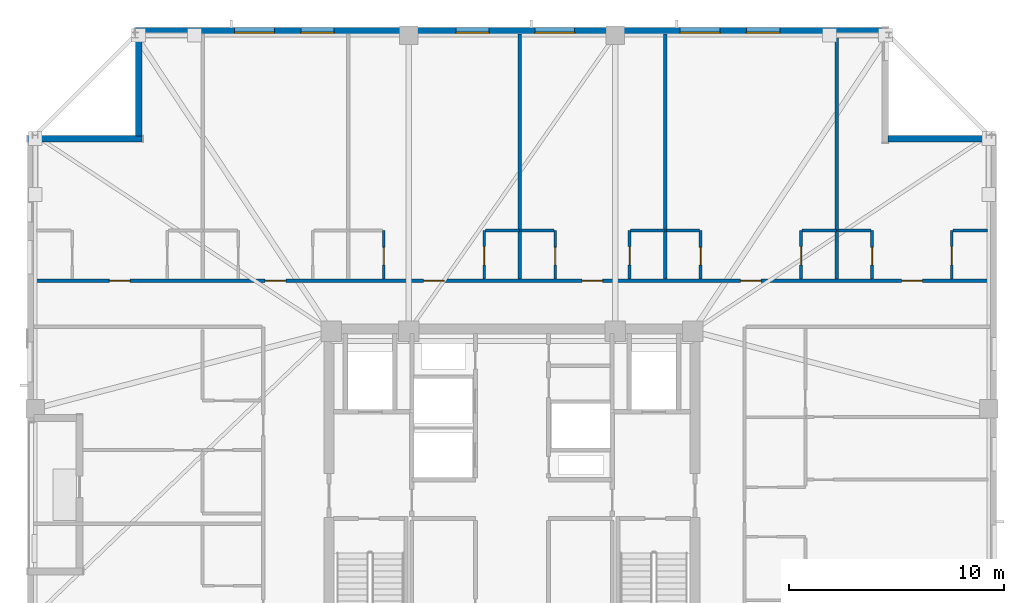
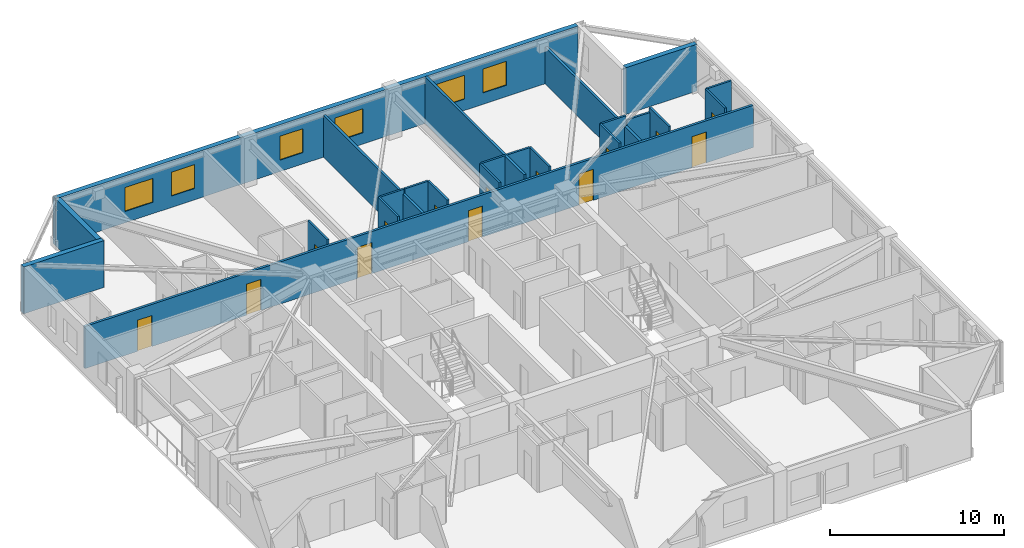
# One storey, part 11 of 17: 23 walls, 14 doors, 6 windows, 20 openings.
"""IFC4 building model written with IfcOpenShell, lengths in metres."""

import ifcopenshell
import ifcopenshell.guid

model = None  # the IFC model being written
_history = None  # IfcOwnerHistory: only IFC2X3 demands one
_inside = {}  # id of a spatial element -> (the spatial element, [elements in it])
_under = {}  # id of a project, library or spatial element -> (it, [spatial elements below it])
_declared = {}  # id of a project -> (the project, [libraries it declares])
_typed = {}  # id of a type object -> (the type object, [elements of that type])
_made_of = {}  # id of a material, layer set ... -> (it, [elements and type objects made of it])


def new_model(schema):
    """Start an empty IFC model of exactly this schema.

    Asked for "IFC4X3", IfcOpenShell would pick the latest addendum, in which some entities
    have other attributes; the version numbers below select the first issue.
    IFC2X3 requires an IfcOwnerHistory on every rooted entity: one is made here for all.
    """
    global model, _history
    if schema == "IFC4X3":
        model = ifcopenshell.file(schema_version=(4, 3, 0, 0))
    else:
        model = ifcopenshell.file(schema=schema)
    _inside.clear()
    _under.clear()
    _declared.clear()
    _typed.clear()
    _made_of.clear()
    _history = None
    if model.schema == "IFC2X3":
        org = make("IfcOrganization", Name="unknown")
        user = make(
            "IfcPersonAndOrganization",
            ThePerson=make("IfcPerson", FamilyName="unknown"),
            TheOrganization=org,
        )
        app = make(
            "IfcApplication",
            ApplicationDeveloper=org,
            Version="unknown",
            ApplicationFullName="unknown",
            ApplicationIdentifier="unknown",
        )
        _history = make(
            "IfcOwnerHistory",
            OwningUser=user,
            OwningApplication=app,
            ChangeAction="ADDED",
            CreationDate=0,
        )
    return model


def make(cls, **values):
    """One entity of the class cls with the attributes given. An attribute that is None is left unset."""
    return model.create_entity(
        cls, **{name: value for name, value in values.items() if value is not None}
    )


def rooted(cls, **values):
    """An entity with a GlobalId (a new one), such as an element, a storey or a relation."""
    return make(cls, GlobalId=ifcopenshell.guid.new(), OwnerHistory=_history, **values)


def si_unit(unit_type, name, prefix=None):
    """IfcSIUnit, for example si_unit("LENGTHUNIT", "METRE", prefix="MILLI")."""
    return make("IfcSIUnit", UnitType=unit_type, Prefix=prefix, Name=name)


def assignment(units):
    """IfcUnitAssignment: the units of a project."""
    return None if units is None else make("IfcUnitAssignment", Units=units)


def point(xyz):
    """IfcCartesianPoint."""
    return None if xyz is None else make("IfcCartesianPoint", Coordinates=xyz)


def direction(xyz):
    """IfcDirection."""
    return None if xyz is None else make("IfcDirection", DirectionRatios=xyz)


def frame(location, z_axis=None, x_axis=None):
    """IfcAxis2Placement3D, a coordinate frame: its origin and axes. An axis left out is left unset."""
    return make(
        "IfcAxis2Placement3D",
        Location=point(location),
        Axis=direction(z_axis),
        RefDirection=direction(x_axis),
    )


def frame_2d(location, x_axis=None):
    """IfcAxis2Placement2D, a coordinate frame in the plane: its origin and x axis."""
    return make(
        "IfcAxis2Placement2D", Location=point(location), RefDirection=direction(x_axis)
    )


def origin():
    """The frame at (0, 0, 0) with its axes left unset."""
    return frame((0.0, 0.0, 0.0))


def place(relative_to, where):
    """IfcLocalPlacement: puts the frame where relative to a parent placement (None: the world)."""
    return make(
        "IfcLocalPlacement", PlacementRelTo=relative_to, RelativePlacement=where
    )


def context(
    kind, dimensions, precision=None, world=None, true_north=None, identifier=None
):
    """IfcGeometricRepresentationContext, for example the 3D "Model" context."""
    return make(
        "IfcGeometricRepresentationContext",
        ContextIdentifier=identifier,
        ContextType=kind,
        CoordinateSpaceDimension=dimensions,
        Precision=precision,
        WorldCoordinateSystem=world,
        TrueNorth=true_north,
    )


def subcontext(parent, identifier, kind, view, scale=None):
    """IfcGeometricRepresentationSubContext, for example "Body" below "Model"."""
    return make(
        "IfcGeometricRepresentationSubContext",
        ContextIdentifier=identifier,
        ContextType=kind,
        ParentContext=parent,
        TargetScale=scale,
        TargetView=view,
    )


def project(units=None, contexts=None):
    """IfcProject with its units and contexts."""
    return rooted(
        "IfcProject",
        Name="project",
        RepresentationContexts=contexts,
        UnitsInContext=assignment(units),
    )


def spatial(cls, under=None, at=None, **own):
    """A site, building, storey or space (cls), placed at a placement, below another one or the project."""
    s = rooted(cls, ObjectPlacement=at, **own)
    if under is not None:
        _under.setdefault(under.id(), (under, []))[1].append(s)
    return s


def profile(cls, at=None, kind="AREA", **sizes):
    """A parametric profile (cls). Its sizes go by their IFC names, for example OverallWidth=200.0."""
    return make(cls, ProfileType=kind, Position=at, **sizes)


def rectangle(**sizes):
    """IfcRectangleProfileDef."""
    return profile("IfcRectangleProfileDef", **sizes)


def extrude(swept, where, along, depth):
    """IfcExtrudedAreaSolid: the profile swept, set in the frame where, extruded along a direction by depth."""
    return make(
        "IfcExtrudedAreaSolid",
        SweptArea=swept,
        Position=where,
        ExtrudedDirection=direction(along),
        Depth=depth,
    )


def shape(context_of_items, identifier, shape_type, items):
    """IfcShapeRepresentation: the items that make up one representation, for example the "Body"."""
    return make(
        "IfcShapeRepresentation",
        ContextOfItems=context_of_items,
        RepresentationIdentifier=identifier,
        RepresentationType=shape_type,
        Items=items,
    )


def material(Name=None, Category=None):
    """IfcMaterial."""
    return make("IfcMaterial", Name=Name, Category=Category)


def layer(
    of_material, thickness, ventilated=None, Name=None, Category=None, Priority=None
):
    """IfcMaterialLayer: one layer of a wall or slab, of a material (None: an air gap)."""
    return make(
        "IfcMaterialLayer",
        Material=of_material,
        LayerThickness=thickness,
        IsVentilated=ventilated,
        Name=Name,
        Category=Category,
        Priority=Priority,
    )


def layer_set(layers, Name=None):
    """IfcMaterialLayerSet."""
    return make("IfcMaterialLayerSet", MaterialLayers=layers, LayerSetName=Name)


def made_of(thing, what):
    """Note that an element or type object is made of a material, layer set ...; save() writes the relation."""
    if what is not None:
        _made_of.setdefault(what.id(), (what, []))[1].append(thing)
    return thing


def type_object(cls, material=None, **own):
    """A type object (cls), such as IfcWallType, which elements share."""
    return made_of(rooted(cls, **own), material)


def element(
    cls,
    number,
    at=None,
    inside=None,
    cuts=None,
    type_object=None,
    material=None,
    context=None,
    identifier="Body",
    shape_type=None,
    held_by="IfcProductDefinitionShape",
    body=None,
    shapes=None,
    **own,
):
    """One element of the class cls, such as IfcWall. Its Tag is "e" and its number.

    at: its placement. inside: the storey or other place that contains it. cuts: it is an
    opening in that element (IfcRelVoidsElement). A single representation is given by context,
    identifier, shape_type and body (its items); several are given by shapes. held_by: the class
    of the entity that holds the representations. save() writes the other relations.
    """
    e = rooted(cls, Tag="e%d" % number, ObjectPlacement=at, **own)
    if body is not None:
        shapes = [shape(context, identifier, shape_type, body)]
    if shapes is not None:
        e.Representation = make(held_by, Representations=shapes)
    if inside is not None:
        _inside.setdefault(inside.id(), (inside, []))[1].append(e)
    if cuts is not None:
        rooted(
            "IfcRelVoidsElement", RelatingBuildingElement=cuts, RelatedOpeningElement=e
        )
    if type_object is not None:
        _typed.setdefault(type_object.id(), (type_object, []))[1].append(e)
    return made_of(e, material)


def fill(opening, filler):
    """IfcRelFillsElement: the door or window that sits in an opening."""
    return rooted(
        "IfcRelFillsElement",
        RelatingOpeningElement=opening,
        RelatedBuildingElement=filler,
    )


def aggregate(whole, parts):
    """IfcRelAggregates: a whole, such as a stair, and the parts it consists of."""
    return rooted("IfcRelAggregates", RelatingObject=whole, RelatedObjects=parts)


def save(model, path):
    """Write the relations noted so far, then the file.

    IfcRelAggregates (storeys below a building ...), IfcRelContainedInSpatialStructure (elements
    in a storey), IfcRelDefinesByType, IfcRelAssociatesMaterial and IfcRelDeclares: one each for
    every whole, place, type object, material and project.
    """
    for whole, parts in _under.values():
        aggregate(whole, parts)
    for where, things in _inside.values():
        rooted(
            "IfcRelContainedInSpatialStructure",
            RelatedElements=things,
            RelatingStructure=where,
        )
    for kind, things in _typed.values():
        rooted("IfcRelDefinesByType", RelatedObjects=things, RelatingType=kind)
    for what, things in _made_of.values():
        rooted("IfcRelAssociatesMaterial", RelatedObjects=things, RelatingMaterial=what)
    for by, libraries in _declared.values():
        rooted("IfcRelDeclares", RelatingContext=by, RelatedDefinitions=libraries)
    model.write(path)


model = new_model("IFC4")

# Units and contexts
model_context = context("Model", 3, precision=1e-05, world=origin(), true_north=direction((0.0, 1.0)))
body_context = subcontext(model_context, "Body", "Model", "MODEL_VIEW")
ifc_project = project(units=[si_unit("LENGTHUNIT", "METRE"), si_unit("AREAUNIT", "SQUARE_METRE"), si_unit("VOLUMEUNIT", "CUBIC_METRE"), si_unit("PLANEANGLEUNIT", "RADIAN"), si_unit("MASSUNIT", "GRAM", prefix="KILO")], contexts=[model_context])

# Site, building, storey
site_placement = place(None, origin())
site = spatial("IfcSite", under=ifc_project, at=site_placement, CompositionType="ELEMENT")
building_placement = place(site_placement, origin())
building = spatial("IfcBuilding", under=site, at=building_placement, Name="Cairnveth Concourse Tower", CompositionType="ELEMENT")
storey_placement = place(building_placement, frame((0.0, 0.0, 244.5)))
storey = spatial("IfcBuildingStorey", under=building, at=storey_placement, Name="L67", CompositionType="ELEMENT", Elevation=244.5)

# Wall, openings, doors
ifc_material_1 = material(Name="Gypsum Plasterboard Partition", Category="gypsum")
ifc_layer_1 = layer(ifc_material_1, 0.159912109375)
ifc_layer_set_1 = layer_set([ifc_layer_1], Name="Gypsum Plasterboard Partition")
wall_type_1 = type_object("IfcWallType", Name="ACOUSTIC PARTY WALL 180", PredefinedType="PARTITIONING", material=ifc_layer_set_1)
wall_1_placement = place(storey_placement, frame((29.804931640625, 49.74755859375, 0.0), z_axis=(0.0, 0.0, 1.0), x_axis=(1.0, 0.0, 0.0)))
wall_1 = element("IfcWall", 1, at=wall_1_placement, inside=storey, type_object=wall_type_1, Name="Interior Wall IW-L67-035", PredefinedType="PARTITIONING", context=body_context, shape_type="SweptSolid", body=[
    extrude(rectangle(XDim=44.39013671875, YDim=0.159912109375, at=frame_2d((22.195068359375, 0.0))), origin(), (0.0, 0.0, 1.0), 2.9580078125),
])
opening_1_placement = place(wall_1_placement, frame((3.49365234375, 0.0, 0.0)))
opening_1 = element("IfcOpeningElement", 2, at=opening_1_placement, cuts=wall_1, Name="Opening ID10", PredefinedType="OPENING", context=body_context, shape_type="SweptSolid", body=[
    extrude(rectangle(XDim=0.9599609375, YDim=2.179931640625, at=frame_2d((0.47998046875, 1.08984375))), frame((0.0, 0.08984375, 0.0), z_axis=(0.0, -1.0, 0.0), x_axis=(1.0, 0.0, 0.0)), (0.0, 0.0, 1.0), 0.179931640625),
])
opening_2_placement = place(wall_1_placement, frame((10.72998046875, 0.0, 0.0)))
opening_2 = element("IfcOpeningElement", 3, at=opening_2_placement, cuts=wall_1, Name="Opening ID10", PredefinedType="OPENING", context=body_context, shape_type="SweptSolid", body=[
    extrude(rectangle(XDim=0.9599609375, YDim=2.179931640625, at=frame_2d((0.47998046875, 1.08984375))), frame((0.0, 0.08984375, 0.0), z_axis=(0.0, -1.0, 0.0), x_axis=(1.0, 0.0, 0.0)), (0.0, 0.0, 1.0), 0.179931640625),
])
opening_3_placement = place(wall_1_placement, frame((18.090087890625, 0.0, 0.0)))
opening_3 = element("IfcOpeningElement", 4, at=opening_3_placement, cuts=wall_1, Name="Opening ID10", PredefinedType="OPENING", context=body_context, shape_type="SweptSolid", body=[
    extrude(rectangle(XDim=0.9599609375, YDim=2.179931640625, at=frame_2d((0.47998046875, 1.08984375))), frame((0.0, 0.08984375, 0.0), z_axis=(0.0, -1.0, 0.0), x_axis=(1.0, 0.0, 0.0)), (0.0, 0.0, 1.0), 0.179931640625),
])
opening_4_placement = place(wall_1_placement, frame((25.449951171875, 0.0, 0.0)))
opening_4 = element("IfcOpeningElement", 5, at=opening_4_placement, cuts=wall_1, Name="Opening ID10", PredefinedType="OPENING", context=body_context, shape_type="SweptSolid", body=[
    extrude(rectangle(XDim=0.9599609375, YDim=2.179931640625, at=frame_2d((0.47998046875, 1.08984375))), frame((0.0, 0.08984375, 0.0), z_axis=(0.0, -1.0, 0.0), x_axis=(1.0, 0.0, 0.0)), (0.0, 0.0, 1.0), 0.179931640625),
])
opening_5_placement = place(wall_1_placement, frame((32.81005859375, 0.0, 0.0)))
opening_5 = element("IfcOpeningElement", 6, at=opening_5_placement, cuts=wall_1, Name="Opening ID10", PredefinedType="OPENING", context=body_context, shape_type="SweptSolid", body=[
    extrude(rectangle(XDim=0.9599609375, YDim=2.179931640625, at=frame_2d((0.47998046875, 1.08984375))), frame((0.0, 0.08984375, 0.0), z_axis=(0.0, -1.0, 0.0), x_axis=(1.0, 0.0, 0.0)), (0.0, 0.0, 1.0), 0.179931640625),
])
opening_6_placement = place(wall_1_placement, frame((40.293701171875, 0.0, 0.0)))
opening_6 = element("IfcOpeningElement", 7, at=opening_6_placement, cuts=wall_1, Name="Opening ID10", PredefinedType="OPENING", context=body_context, shape_type="SweptSolid", body=[
    extrude(rectangle(XDim=0.9599609375, YDim=2.179931640625, at=frame_2d((0.47998046875, 1.08984375))), frame((0.0, 0.08984375, 0.0), z_axis=(0.0, -1.0, 0.0), x_axis=(1.0, 0.0, 0.0)), (0.0, 0.0, 1.0), 0.179931640625),
])
ifc_material_2 = material(Name="Solid Core Hardwood Timber Leaf", Category="wood")
door_type_1 = type_object("IfcDoorType", Name="FLAT ENTRANCE DOOR 960X2150", OperationType="NOTDEFINED", PredefinedType="DOOR", material=ifc_material_2)
door_1_placement = place(opening_1_placement, origin())
door_1 = element("IfcDoor", 8, at=door_1_placement, inside=storey, type_object=door_type_1, Name="Studio L67STN1 Entrance Door", OperationType="SINGLE_SWING_RIGHT", OverallHeight=2.179931640625, OverallWidth=0.9599609375, PredefinedType="DOOR", context=body_context, shape_type="SweptSolid", body=[
    extrude(rectangle(XDim=0.9599609375, YDim=2.179931640625, at=frame_2d((0.47998046875, 1.08984375))), frame((0.0, 0.02490234375, 0.0), z_axis=(0.0, -1.0, 0.0), x_axis=(1.0, 0.0, 0.0)), (0.0, 0.0, 1.0), 0.050048828125),
])
fill(opening_1, door_1)
door_2_placement = place(opening_2_placement, origin())
door_2 = element("IfcDoor", 9, at=door_2_placement, inside=storey, type_object=door_type_1, Name="Studio L67STN2 Entrance Door", OperationType="SINGLE_SWING_LEFT", OverallHeight=2.179931640625, OverallWidth=0.9599609375, PredefinedType="DOOR", context=body_context, shape_type="SweptSolid", body=[
    extrude(rectangle(XDim=0.9599609375, YDim=2.179931640625, at=frame_2d((0.47998046875, 1.08984375))), frame((0.0, 0.02490234375, 0.0), z_axis=(0.0, -1.0, 0.0), x_axis=(1.0, 0.0, 0.0)), (0.0, 0.0, 1.0), 0.050048828125),
])
fill(opening_2, door_2)
door_3_placement = place(opening_3_placement, origin())
door_3 = element("IfcDoor", 10, at=door_3_placement, inside=storey, type_object=door_type_1, Name="Studio L67STN3 Entrance Door", OperationType="SINGLE_SWING_RIGHT", OverallHeight=2.179931640625, OverallWidth=0.9599609375, PredefinedType="DOOR", context=body_context, shape_type="SweptSolid", body=[
    extrude(rectangle(XDim=0.9599609375, YDim=2.179931640625, at=frame_2d((0.47998046875, 1.08984375))), frame((0.0, 0.02490234375, 0.0), z_axis=(0.0, -1.0, 0.0), x_axis=(1.0, 0.0, 0.0)), (0.0, 0.0, 1.0), 0.050048828125),
])
fill(opening_3, door_3)
door_4_placement = place(opening_4_placement, origin())
door_4 = element("IfcDoor", 11, at=door_4_placement, inside=storey, type_object=door_type_1, Name="Studio L67STN4 Entrance Door", OperationType="SINGLE_SWING_LEFT", OverallHeight=2.179931640625, OverallWidth=0.9599609375, PredefinedType="DOOR", context=body_context, shape_type="SweptSolid", body=[
    extrude(rectangle(XDim=0.9599609375, YDim=2.179931640625, at=frame_2d((0.47998046875, 1.08984375))), frame((0.0, 0.02490234375, 0.0), z_axis=(0.0, -1.0, 0.0), x_axis=(1.0, 0.0, 0.0)), (0.0, 0.0, 1.0), 0.050048828125),
])
fill(opening_4, door_4)
door_5_placement = place(opening_5_placement, origin())
door_5 = element("IfcDoor", 12, at=door_5_placement, inside=storey, type_object=door_type_1, Name="Studio L67STN5 Entrance Door", OperationType="SINGLE_SWING_RIGHT", OverallHeight=2.179931640625, OverallWidth=0.9599609375, PredefinedType="DOOR", context=body_context, shape_type="SweptSolid", body=[
    extrude(rectangle(XDim=0.9599609375, YDim=2.179931640625, at=frame_2d((0.47998046875, 1.08984375))), frame((0.0, 0.02490234375, 0.0), z_axis=(0.0, -1.0, 0.0), x_axis=(1.0, 0.0, 0.0)), (0.0, 0.0, 1.0), 0.050048828125),
])
fill(opening_5, door_5)
door_6_placement = place(opening_6_placement, origin())
door_6 = element("IfcDoor", 13, at=door_6_placement, inside=storey, type_object=door_type_1, Name="Studio L67STN6 Entrance Door", OperationType="SINGLE_SWING_LEFT", OverallHeight=2.179931640625, OverallWidth=0.9599609375, PredefinedType="DOOR", context=body_context, shape_type="SweptSolid", body=[
    extrude(rectangle(XDim=0.9599609375, YDim=2.179931640625, at=frame_2d((0.47998046875, 1.08984375))), frame((0.0, 0.02490234375, 0.0), z_axis=(0.0, -1.0, 0.0), x_axis=(1.0, 0.0, 0.0)), (0.0, 0.0, 1.0), 0.050048828125),
])
fill(opening_6, door_6)

# Walls
wall_2_placement = place(storey_placement, frame((52.357421875, 49.827392578125, 0.0), z_axis=(0.0, 0.0, 1.0), x_axis=(0.0, 1.0, 0.0)))
element("IfcWall", 14, at=wall_2_placement, inside=storey, type_object=wall_type_1, Name="Interior Wall IW-L67-080", PredefinedType="PARTITIONING", context=body_context, shape_type="SweptSolid", body=[
    extrude(rectangle(XDim=11.36767578125, YDim=0.159912109375, at=frame_2d((5.683837890625, 0.0))), origin(), (0.0, 0.0, 1.0), 2.9580078125),
])
wall_3_placement = place(storey_placement, frame((59.112548828125, 49.827392578125, 0.0), z_axis=(0.0, 0.0, 1.0), x_axis=(0.0, 1.0, 0.0)))
element("IfcWall", 15, at=wall_3_placement, inside=storey, type_object=wall_type_1, Name="Interior Wall IW-L67-085", PredefinedType="PARTITIONING", context=body_context, shape_type="SweptSolid", body=[
    extrude(rectangle(XDim=11.36767578125, YDim=0.159912109375, at=frame_2d((5.683837890625, 0.0))), origin(), (0.0, 0.0, 1.0), 3.2900390625),
])
wall_4_placement = place(storey_placement, frame((67.077392578125, 49.827392578125, 0.0), z_axis=(0.0, 0.0, 1.0), x_axis=(0.0, 1.0, 0.0)))
element("IfcWall", 16, at=wall_4_placement, inside=storey, type_object=wall_type_1, Name="Interior Wall IW-L67-090", PredefinedType="PARTITIONING", context=body_context, shape_type="SweptSolid", body=[
    extrude(rectangle(XDim=11.36767578125, YDim=0.159912109375, at=frame_2d((5.683837890625, 0.0))), origin(), (0.0, 0.0, 1.0), 2.572998046875),
])

# Wall, opening, door
ifc_layer_2 = layer(ifc_material_1, 0.1298828125)
ifc_layer_set_2 = layer_set([ifc_layer_2], Name="Gypsum Plasterboard Partition")
wall_type_2 = type_object("IfcWallType", Name="WET AREA PARTITION 140", PredefinedType="PLUMBINGWALL", material=ifc_layer_set_2)
wall_5_placement = place(storey_placement, frame((46.04248046875, 49.827392578125, 0.0), z_axis=(0.0, 0.0, 1.0), x_axis=(0.0, 1.0, 0.0)))
wall_5 = element("IfcWall", 17, at=wall_5_placement, inside=storey, type_object=wall_type_2, Name="Interior Wall IW-L67-076", PredefinedType="PLUMBINGWALL", context=body_context, shape_type="SweptSolid", body=[
    extrude(rectangle(XDim=2.25, YDim=0.1298828125, at=frame_2d((1.125, 0.0))), origin(), (0.0, 0.0, 1.0), 3.2900390625),
])
opening_7_placement = place(wall_5_placement, frame((0.64990234375, 0.0, 0.0)))
opening_7 = element("IfcOpeningElement", 18, at=opening_7_placement, cuts=wall_5, Name="Opening ID22", PredefinedType="OPENING", context=body_context, shape_type="SweptSolid", body=[
    extrude(rectangle(XDim=0.820068359375, YDim=2.10009765625, at=frame_2d((0.41015625, 1.050048828125))), frame((0.0, 0.074951171875, 0.0), z_axis=(0.0, -1.0, 0.0), x_axis=(1.0, 0.0, 0.0)), (0.0, 0.0, 1.0), 0.14990234375),
])
door_type_2 = type_object("IfcDoorType", Name="INTERIOR WC DOOR 820X2100", OperationType="NOTDEFINED", PredefinedType="DOOR", material=ifc_material_2)
door_7_placement = place(opening_7_placement, origin())
door_7 = element("IfcDoor", 19, at=door_7_placement, inside=storey, type_object=door_type_2, Name="L67STN3 Bathroom Door", OperationType="SINGLE_SWING_RIGHT", OverallHeight=2.10009765625, OverallWidth=0.820068359375, PredefinedType="DOOR", context=body_context, shape_type="SweptSolid", body=[
    extrude(rectangle(XDim=0.820068359375, YDim=2.10009765625, at=frame_2d((0.41015625, 1.050048828125))), frame((0.0, 0.02490234375, 0.0), z_axis=(0.0, -1.0, 0.0), x_axis=(1.0, 0.0, 0.0)), (0.0, 0.0, 1.0), 0.050048828125),
])
fill(opening_7, door_7)

wall_6_placement = place(storey_placement, frame((50.70751953125, 49.827392578125, 0.0), z_axis=(0.0, 0.0, 1.0), x_axis=(0.0, 1.0, 0.0)))
wall_6 = element("IfcWall", 20, at=wall_6_placement, inside=storey, type_object=wall_type_2, Name="Interior Wall IW-L67-078", PredefinedType="PLUMBINGWALL", context=body_context, shape_type="SweptSolid", body=[
    extrude(rectangle(XDim=2.25, YDim=0.1298828125, at=frame_2d((1.125, 0.0))), origin(), (0.0, 0.0, 1.0), 3.2900390625),
])
opening_8_placement = place(wall_6_placement, frame((0.64990234375, 0.0, 0.0)))
opening_8 = element("IfcOpeningElement", 21, at=opening_8_placement, cuts=wall_6, Name="Opening ID20", PredefinedType="OPENING", context=body_context, shape_type="SweptSolid", body=[
    extrude(rectangle(XDim=0.85009765625, YDim=2.10009765625, at=frame_2d((0.425048828125, 1.050048828125))), frame((0.0, 0.074951171875, 0.0), z_axis=(0.0, -1.0, 0.0), x_axis=(1.0, 0.0, 0.0)), (0.0, 0.0, 1.0), 0.14990234375),
])
door_type_3 = type_object("IfcDoorType", Name="INTERIOR SINGLE DOOR 850X2100", OperationType="NOTDEFINED", PredefinedType="DOOR", material=ifc_material_2)
door_8_placement = place(opening_8_placement, origin())
door_8 = element("IfcDoor", 22, at=door_8_placement, inside=storey, type_object=door_type_3, Name="L67STN3 Kitchen Door", OperationType="SINGLE_SWING_LEFT", OverallHeight=2.10009765625, OverallWidth=0.85009765625, PredefinedType="DOOR", context=body_context, shape_type="SweptSolid", body=[
    extrude(rectangle(XDim=0.85009765625, YDim=2.10009765625, at=frame_2d((0.425048828125, 1.050048828125))), frame((0.0, 0.02490234375, 0.0), z_axis=(0.0, -1.0, 0.0), x_axis=(1.0, 0.0, 0.0)), (0.0, 0.0, 1.0), 0.050048828125),
])
fill(opening_8, door_8)

# Wall
wall_7_placement = place(storey_placement, frame((50.757568359375, 52.077392578125, 0.0), z_axis=(0.0, 0.0, 1.0), x_axis=(1.0, 0.0, 0.0)))
element("IfcWall", 23, at=wall_7_placement, inside=storey, type_object=wall_type_2, Name="Interior Wall IW-L67-079", PredefinedType="PLUMBINGWALL", context=body_context, shape_type="SweptSolid", body=[
    extrude(rectangle(XDim=1.599853515625, YDim=0.1298828125, at=frame_2d((0.7998046875, 0.0))), origin(), (0.0, 0.0, 1.0), 3.2900390625),
])

# Wall, opening, door
wall_8_placement = place(storey_placement, frame((54.007568359375, 49.827392578125, 0.0), z_axis=(0.0, 0.0, 1.0), x_axis=(0.0, 1.0, 0.0)))
wall_8 = element("IfcWall", 24, at=wall_8_placement, inside=storey, type_object=wall_type_2, Name="Interior Wall IW-L67-081", PredefinedType="PLUMBINGWALL", context=body_context, shape_type="SweptSolid", body=[
    extrude(rectangle(XDim=2.25, YDim=0.1298828125, at=frame_2d((1.125, 0.0))), origin(), (0.0, 0.0, 1.0), 3.2900390625),
])
opening_9_placement = place(wall_8_placement, frame((0.64990234375, 0.0, 0.0)))
opening_9 = element("IfcOpeningElement", 25, at=opening_9_placement, cuts=wall_8, Name="Opening ID22", PredefinedType="OPENING", context=body_context, shape_type="SweptSolid", body=[
    extrude(rectangle(XDim=0.820068359375, YDim=2.10009765625, at=frame_2d((0.41015625, 1.050048828125))), frame((0.0, 0.074951171875, 0.0), z_axis=(0.0, -1.0, 0.0), x_axis=(1.0, 0.0, 0.0)), (0.0, 0.0, 1.0), 0.14990234375),
])
door_9_placement = place(opening_9_placement, origin())
door_9 = element("IfcDoor", 26, at=door_9_placement, inside=storey, type_object=door_type_2, Name="L67STN4 Bathroom Door", OperationType="SINGLE_SWING_LEFT", OverallHeight=2.10009765625, OverallWidth=0.820068359375, PredefinedType="DOOR", context=body_context, shape_type="SweptSolid", body=[
    extrude(rectangle(XDim=0.820068359375, YDim=2.10009765625, at=frame_2d((0.41015625, 1.050048828125))), frame((0.0, 0.02490234375, 0.0), z_axis=(0.0, -1.0, 0.0), x_axis=(1.0, 0.0, 0.0)), (0.0, 0.0, 1.0), 0.050048828125),
])
fill(opening_9, door_9)

# Wall
wall_9_placement = place(storey_placement, frame((52.422607421875, 52.077392578125, 0.0), z_axis=(0.0, 0.0, 1.0), x_axis=(1.0, 0.0, 0.0)))
element("IfcWall", 27, at=wall_9_placement, inside=storey, type_object=wall_type_2, Name="Interior Wall IW-L67-082", PredefinedType="PLUMBINGWALL", context=body_context, shape_type="SweptSolid", body=[
    extrude(rectangle(XDim=1.534912109375, YDim=0.1298828125, at=frame_2d((0.767578125, 0.0))), origin(), (0.0, 0.0, 1.0), 3.2900390625),
])

# Wall, opening, door
wall_10_placement = place(storey_placement, frame((57.46240234375, 49.827392578125, 0.0), z_axis=(0.0, 0.0, 1.0), x_axis=(0.0, 1.0, 0.0)))
wall_10 = element("IfcWall", 28, at=wall_10_placement, inside=storey, type_object=wall_type_2, Name="Interior Wall IW-L67-083", PredefinedType="PLUMBINGWALL", context=body_context, shape_type="SweptSolid", body=[
    extrude(rectangle(XDim=2.25, YDim=0.1298828125, at=frame_2d((1.125, 0.0))), origin(), (0.0, 0.0, 1.0), 3.2900390625),
])
opening_10_placement = place(wall_10_placement, frame((0.64990234375, 0.0, 0.0)))
opening_10 = element("IfcOpeningElement", 29, at=opening_10_placement, cuts=wall_10, Name="Opening ID20", PredefinedType="OPENING", context=body_context, shape_type="SweptSolid", body=[
    extrude(rectangle(XDim=0.85009765625, YDim=2.10009765625, at=frame_2d((0.425048828125, 1.050048828125))), frame((0.0, 0.074951171875, 0.0), z_axis=(0.0, -1.0, 0.0), x_axis=(1.0, 0.0, 0.0)), (0.0, 0.0, 1.0), 0.14990234375),
])
door_10_placement = place(opening_10_placement, origin())
door_10 = element("IfcDoor", 30, at=door_10_placement, inside=storey, type_object=door_type_3, Name="L67STN4 Kitchen Door", OperationType="SINGLE_SWING_RIGHT", OverallHeight=2.10009765625, OverallWidth=0.85009765625, PredefinedType="DOOR", context=body_context, shape_type="SweptSolid", body=[
    extrude(rectangle(XDim=0.85009765625, YDim=2.10009765625, at=frame_2d((0.425048828125, 1.050048828125))), frame((0.0, 0.02490234375, 0.0), z_axis=(0.0, -1.0, 0.0), x_axis=(1.0, 0.0, 0.0)), (0.0, 0.0, 1.0), 0.050048828125),
])
fill(opening_10, door_10)

# Wall
wall_11_placement = place(storey_placement, frame((57.512451171875, 52.077392578125, 0.0), z_axis=(0.0, 0.0, 1.0), x_axis=(1.0, 0.0, 0.0)))
element("IfcWall", 31, at=wall_11_placement, inside=storey, type_object=wall_type_2, Name="Interior Wall IW-L67-084", PredefinedType="PLUMBINGWALL", context=body_context, shape_type="SweptSolid", body=[
    extrude(rectangle(XDim=1.60009765625, YDim=0.1298828125, at=frame_2d((0.800048828125, 0.0))), origin(), (0.0, 0.0, 1.0), 3.2900390625),
])

# Wall, opening, door
wall_12_placement = place(storey_placement, frame((60.762451171875, 49.827392578125, 0.0), z_axis=(0.0, 0.0, 1.0), x_axis=(0.0, 1.0, 0.0)))
wall_12 = element("IfcWall", 32, at=wall_12_placement, inside=storey, type_object=wall_type_2, Name="Interior Wall IW-L67-086", PredefinedType="PLUMBINGWALL", context=body_context, shape_type="SweptSolid", body=[
    extrude(rectangle(XDim=2.25, YDim=0.1298828125, at=frame_2d((1.125, 0.0))), origin(), (0.0, 0.0, 1.0), 3.2900390625),
])
opening_11_placement = place(wall_12_placement, frame((0.64990234375, 0.0, 0.0)))
opening_11 = element("IfcOpeningElement", 33, at=opening_11_placement, cuts=wall_12, Name="Opening ID22", PredefinedType="OPENING", context=body_context, shape_type="SweptSolid", body=[
    extrude(rectangle(XDim=0.820068359375, YDim=2.10009765625, at=frame_2d((0.41015625, 1.050048828125))), frame((0.0, 0.074951171875, 0.0), z_axis=(0.0, -1.0, 0.0), x_axis=(1.0, 0.0, 0.0)), (0.0, 0.0, 1.0), 0.14990234375),
])
door_11_placement = place(opening_11_placement, origin())
door_11 = element("IfcDoor", 34, at=door_11_placement, inside=storey, type_object=door_type_2, Name="L67STN5 Bathroom Door", OperationType="SINGLE_SWING_RIGHT", OverallHeight=2.10009765625, OverallWidth=0.820068359375, PredefinedType="DOOR", context=body_context, shape_type="SweptSolid", body=[
    extrude(rectangle(XDim=0.820068359375, YDim=2.10009765625, at=frame_2d((0.41015625, 1.050048828125))), frame((0.0, 0.02490234375, 0.0), z_axis=(0.0, -1.0, 0.0), x_axis=(1.0, 0.0, 0.0)), (0.0, 0.0, 1.0), 0.050048828125),
])
fill(opening_11, door_11)

# Wall
wall_13_placement = place(storey_placement, frame((59.177490234375, 52.077392578125, 0.0), z_axis=(0.0, 0.0, 1.0), x_axis=(1.0, 0.0, 0.0)))
element("IfcWall", 35, at=wall_13_placement, inside=storey, type_object=wall_type_2, Name="Interior Wall IW-L67-087", PredefinedType="PLUMBINGWALL", context=body_context, shape_type="SweptSolid", body=[
    extrude(rectangle(XDim=1.534912109375, YDim=0.1298828125, at=frame_2d((0.767578125, 0.0))), origin(), (0.0, 0.0, 1.0), 3.2900390625),
])

# Wall, opening, door
wall_14_placement = place(storey_placement, frame((65.427490234375, 49.827392578125, 0.0), z_axis=(0.0, 0.0, 1.0), x_axis=(0.0, 1.0, 0.0)))
wall_14 = element("IfcWall", 36, at=wall_14_placement, inside=storey, type_object=wall_type_2, Name="Interior Wall IW-L67-088", PredefinedType="PLUMBINGWALL", context=body_context, shape_type="SweptSolid", body=[
    extrude(rectangle(XDim=2.25, YDim=0.1298828125, at=frame_2d((1.125, 0.0))), origin(), (0.0, 0.0, 1.0), 3.2900390625),
])
opening_12_placement = place(wall_14_placement, frame((0.64990234375, 0.0, 0.0)))
opening_12 = element("IfcOpeningElement", 37, at=opening_12_placement, cuts=wall_14, Name="Opening ID20", PredefinedType="OPENING", context=body_context, shape_type="SweptSolid", body=[
    extrude(rectangle(XDim=0.85009765625, YDim=2.10009765625, at=frame_2d((0.425048828125, 1.050048828125))), frame((0.0, 0.074951171875, 0.0), z_axis=(0.0, -1.0, 0.0), x_axis=(1.0, 0.0, 0.0)), (0.0, 0.0, 1.0), 0.14990234375),
])
door_12_placement = place(opening_12_placement, origin())
door_12 = element("IfcDoor", 38, at=door_12_placement, inside=storey, type_object=door_type_3, Name="L67STN5 Kitchen Door", OperationType="SINGLE_SWING_LEFT", OverallHeight=2.10009765625, OverallWidth=0.85009765625, PredefinedType="DOOR", context=body_context, shape_type="SweptSolid", body=[
    extrude(rectangle(XDim=0.85009765625, YDim=2.10009765625, at=frame_2d((0.425048828125, 1.050048828125))), frame((0.0, 0.02490234375, 0.0), z_axis=(0.0, -1.0, 0.0), x_axis=(1.0, 0.0, 0.0)), (0.0, 0.0, 1.0), 0.050048828125),
])
fill(opening_12, door_12)

# Wall
wall_15_placement = place(storey_placement, frame((65.4775390625, 52.077392578125, 0.0), z_axis=(0.0, 0.0, 1.0), x_axis=(1.0, 0.0, 0.0)))
element("IfcWall", 39, at=wall_15_placement, inside=storey, type_object=wall_type_2, Name="Interior Wall IW-L67-089", PredefinedType="PLUMBINGWALL", context=body_context, shape_type="SweptSolid", body=[
    extrude(rectangle(XDim=1.599853515625, YDim=0.1298828125, at=frame_2d((0.7998046875, 0.0))), origin(), (0.0, 0.0, 1.0), 3.2900390625),
])

# Wall, opening, door
wall_16_placement = place(storey_placement, frame((68.7275390625, 49.827392578125, 0.0), z_axis=(0.0, 0.0, 1.0), x_axis=(0.0, 1.0, 0.0)))
wall_16 = element("IfcWall", 40, at=wall_16_placement, inside=storey, type_object=wall_type_2, Name="Interior Wall IW-L67-091", PredefinedType="PLUMBINGWALL", context=body_context, shape_type="SweptSolid", body=[
    extrude(rectangle(XDim=2.25, YDim=0.1298828125, at=frame_2d((1.125, 0.0))), origin(), (0.0, 0.0, 1.0), 3.2900390625),
])
opening_13_placement = place(wall_16_placement, frame((0.64990234375, 0.0, 0.0)))
opening_13 = element("IfcOpeningElement", 41, at=opening_13_placement, cuts=wall_16, Name="Opening ID22", PredefinedType="OPENING", context=body_context, shape_type="SweptSolid", body=[
    extrude(rectangle(XDim=0.820068359375, YDim=2.10009765625, at=frame_2d((0.41015625, 1.050048828125))), frame((0.0, 0.074951171875, 0.0), z_axis=(0.0, -1.0, 0.0), x_axis=(1.0, 0.0, 0.0)), (0.0, 0.0, 1.0), 0.14990234375),
])
door_13_placement = place(opening_13_placement, origin())
door_13 = element("IfcDoor", 42, at=door_13_placement, inside=storey, type_object=door_type_2, Name="L67STN6 Bathroom Door", OperationType="SINGLE_SWING_LEFT", OverallHeight=2.10009765625, OverallWidth=0.820068359375, PredefinedType="DOOR", context=body_context, shape_type="SweptSolid", body=[
    extrude(rectangle(XDim=0.820068359375, YDim=2.10009765625, at=frame_2d((0.41015625, 1.050048828125))), frame((0.0, 0.02490234375, 0.0), z_axis=(0.0, -1.0, 0.0), x_axis=(1.0, 0.0, 0.0)), (0.0, 0.0, 1.0), 0.050048828125),
])
fill(opening_13, door_13)

# Wall
wall_17_placement = place(storey_placement, frame((67.142578125, 52.077392578125, 0.0), z_axis=(0.0, 0.0, 1.0), x_axis=(1.0, 0.0, 0.0)))
element("IfcWall", 43, at=wall_17_placement, inside=storey, type_object=wall_type_2, Name="Interior Wall IW-L67-092", PredefinedType="PLUMBINGWALL", context=body_context, shape_type="SweptSolid", body=[
    extrude(rectangle(XDim=1.534912109375, YDim=0.1298828125, at=frame_2d((0.767578125, 0.0))), origin(), (0.0, 0.0, 1.0), 2.9580078125),
])

# Wall, opening, door
wall_18_placement = place(storey_placement, frame((72.429931640625, 49.827392578125, 0.0), z_axis=(0.0, 0.0, 1.0), x_axis=(0.0, 1.0, 0.0)))
wall_18 = element("IfcWall", 44, at=wall_18_placement, inside=storey, type_object=wall_type_2, Name="Interior Wall IW-L67-093", PredefinedType="PLUMBINGWALL", context=body_context, shape_type="SweptSolid", body=[
    extrude(rectangle(XDim=2.25, YDim=0.1298828125, at=frame_2d((1.125, 0.0))), origin(), (0.0, 0.0, 1.0), 3.2900390625),
])
opening_14_placement = place(wall_18_placement, frame((0.64990234375, 0.0, 0.0)))
opening_14 = element("IfcOpeningElement", 45, at=opening_14_placement, cuts=wall_18, Name="Opening ID20", PredefinedType="OPENING", context=body_context, shape_type="SweptSolid", body=[
    extrude(rectangle(XDim=0.85009765625, YDim=2.10009765625, at=frame_2d((0.425048828125, 1.050048828125))), frame((0.0, 0.074951171875, 0.0), z_axis=(0.0, -1.0, 0.0), x_axis=(1.0, 0.0, 0.0)), (0.0, 0.0, 1.0), 0.14990234375),
])
door_14_placement = place(opening_14_placement, origin())
door_14 = element("IfcDoor", 46, at=door_14_placement, inside=storey, type_object=door_type_3, Name="L67STN6 Kitchen Door", OperationType="SINGLE_SWING_RIGHT", OverallHeight=2.10009765625, OverallWidth=0.85009765625, PredefinedType="DOOR", context=body_context, shape_type="SweptSolid", body=[
    extrude(rectangle(XDim=0.85009765625, YDim=2.10009765625, at=frame_2d((0.425048828125, 1.050048828125))), frame((0.0, 0.02490234375, 0.0), z_axis=(0.0, -1.0, 0.0), x_axis=(1.0, 0.0, 0.0)), (0.0, 0.0, 1.0), 0.050048828125),
])
fill(opening_14, door_14)

# Walls
wall_19_placement = place(storey_placement, frame((72.47998046875, 52.077392578125, 0.0), z_axis=(0.0, 0.0, 1.0), x_axis=(1.0, 0.0, 0.0)))
element("IfcWall", 47, at=wall_19_placement, inside=storey, type_object=wall_type_2, Name="Interior Wall IW-L67-094", PredefinedType="PLUMBINGWALL", context=body_context, shape_type="SweptSolid", body=[
    extrude(rectangle(XDim=1.60009765625, YDim=0.1298828125, at=frame_2d((0.800048828125, 0.0))), origin(), (0.0, 0.0, 1.0), 3.2900390625),
])
ifc_material_3 = material(Name="Melbourne Buff Fired Clay Brick Masonry", Category="masonry")
ifc_layer_3 = layer(ifc_material_3, 0.320068359375)
ifc_layer_set_3 = layer_set([ifc_layer_3], Name="Melbourne Buff Fired Clay Brick Masonry")
wall_type_3 = type_object("IfcWallType", Name="ZONE 3 BRICK PIER SPANDREL WALL 320", PredefinedType="SOLIDWALL", material=ifc_layer_set_3)
wall_20_placement = place(storey_placement, frame((29.5, 56.340087890625, 0.0), z_axis=(0.0, 0.0, 1.0), x_axis=(1.0, 0.0, 0.0)))
element("IfcWall", 48, at=wall_20_placement, inside=storey, type_object=wall_type_3, Name="Exterior Wall EW-L67-S01", PredefinedType="SOLIDWALL", context=body_context, shape_type="SweptSolid", body=[
    extrude(rectangle(XDim=5.320068359375, YDim=0.320068359375, at=frame_2d((2.66015625, 0.0))), origin(), (0.0, 0.0, 1.0), 3.2900390625),
])
wall_21_placement = place(storey_placement, frame((34.659912109375, 56.47802734375, 0.0), z_axis=(0.0, 0.0, 1.0), x_axis=(0.0, 1.0, 0.0)))
element("IfcWall", 49, at=wall_21_placement, inside=storey, type_object=wall_type_3, Name="Exterior Wall EW-L67-S02", PredefinedType="SOLIDWALL", context=body_context, shape_type="SweptSolid", body=[
    extrude(rectangle(XDim=4.723876953125, YDim=0.320068359375, at=frame_2d((2.36181640625, 0.0))), origin(), (0.0, 0.0, 1.0), 3.2900390625),
])

# Wall, openings, windows
wall_22_placement = place(storey_placement, frame((34.5, 61.340087890625, 0.0), z_axis=(0.0, 0.0, 1.0), x_axis=(1.0, 0.0, 0.0)))
wall_22 = element("IfcWall", 50, at=wall_22_placement, inside=storey, type_object=wall_type_3, Name="Exterior Wall EW-L67-S03", PredefinedType="SOLIDWALL", context=body_context, shape_type="SweptSolid", body=[
    extrude(rectangle(XDim=34.701904296875, YDim=0.320068359375, at=frame_2d((17.35107421875, 0.0))), origin(), (0.0, 0.0, 1.0), 3.2900390625),
])
opening_15_placement = place(wall_22_placement, frame((4.612548828125, 0.0, 0.800048828125)))
opening_15 = element("IfcOpeningElement", 51, at=opening_15_placement, cuts=wall_22, Name="Opening W08", PredefinedType="OPENING", context=body_context, shape_type="SweptSolid", body=[
    extrude(rectangle(XDim=1.85009765625, YDim=1.677978515625, at=frame_2d((0.925048828125, 0.8388671875))), frame((0.0, 0.169921875, 0.0), z_axis=(0.0, -1.0, 0.0), x_axis=(1.0, 0.0, 0.0)), (0.0, 0.0, 1.0), 0.340087890625),
])
opening_16_placement = place(wall_22_placement, frame((7.68798828125, 0.0, 0.800048828125)))
opening_16 = element("IfcOpeningElement", 52, at=opening_16_placement, cuts=wall_22, Name="Opening W07", PredefinedType="OPENING", context=body_context, shape_type="SweptSolid", body=[
    extrude(rectangle(XDim=1.550048828125, YDim=1.677978515625, at=frame_2d((0.77490234375, 0.8388671875))), frame((0.0, 0.169921875, 0.0), z_axis=(0.0, -1.0, 0.0), x_axis=(1.0, 0.0, 0.0)), (0.0, 0.0, 1.0), 0.340087890625),
])
opening_17_placement = place(wall_22_placement, frame((14.888427734375, 0.0, 0.800048828125)))
opening_17 = element("IfcOpeningElement", 53, at=opening_17_placement, cuts=wall_22, Name="Opening W07", PredefinedType="OPENING", context=body_context, shape_type="SweptSolid", body=[
    extrude(rectangle(XDim=1.550048828125, YDim=1.677978515625, at=frame_2d((0.77490234375, 0.8388671875))), frame((0.0, 0.169921875, 0.0), z_axis=(0.0, -1.0, 0.0), x_axis=(1.0, 0.0, 0.0)), (0.0, 0.0, 1.0), 0.340087890625),
])
opening_18_placement = place(wall_22_placement, frame((18.563720703125, 0.0, 0.800048828125)))
opening_18 = element("IfcOpeningElement", 54, at=opening_18_placement, cuts=wall_22, Name="Opening W08", PredefinedType="OPENING", context=body_context, shape_type="SweptSolid", body=[
    extrude(rectangle(XDim=1.85009765625, YDim=1.677978515625, at=frame_2d((0.925048828125, 0.8388671875))), frame((0.0, 0.169921875, 0.0), z_axis=(0.0, -1.0, 0.0), x_axis=(1.0, 0.0, 0.0)), (0.0, 0.0, 1.0), 0.340087890625),
])
opening_19_placement = place(wall_22_placement, frame((25.314208984375, 0.0, 0.800048828125)))
opening_19 = element("IfcOpeningElement", 55, at=opening_19_placement, cuts=wall_22, Name="Opening W08", PredefinedType="OPENING", context=body_context, shape_type="SweptSolid", body=[
    extrude(rectangle(XDim=1.85009765625, YDim=1.677978515625, at=frame_2d((0.925048828125, 0.8388671875))), frame((0.0, 0.169921875, 0.0), z_axis=(0.0, -1.0, 0.0), x_axis=(1.0, 0.0, 0.0)), (0.0, 0.0, 1.0), 0.340087890625),
])
opening_20_placement = place(wall_22_placement, frame((28.389404296875, 0.0, 0.800048828125)))
opening_20 = element("IfcOpeningElement", 56, at=opening_20_placement, cuts=wall_22, Name="Opening W07", PredefinedType="OPENING", context=body_context, shape_type="SweptSolid", body=[
    extrude(rectangle(XDim=1.550048828125, YDim=1.677978515625, at=frame_2d((0.77490234375, 0.8388671875))), frame((0.0, 0.169921875, 0.0), z_axis=(0.0, -1.0, 0.0), x_axis=(1.0, 0.0, 0.0)), (0.0, 0.0, 1.0), 0.340087890625),
])
ifc_material_4 = material(Name="Double Glazed Low-E Clear Glass", Category="glass")
window_type_1 = type_object("IfcWindowType", Name="DEEP-SET APARTMENT LIVING WINDOW 1850X1850", PartitioningType="DOUBLE_PANEL_VERTICAL", PredefinedType="WINDOW", material=ifc_material_4)
window_1_placement = place(opening_15_placement, origin())
window_1 = element("IfcWindow", 57, at=window_1_placement, inside=storey, type_object=window_type_1, Name="Gothic Lancet Window L67-3-1", OverallHeight=1.677978515625, OverallWidth=1.85009765625, PartitioningType="SINGLE_PANEL", PredefinedType="WINDOW", context=body_context, shape_type="SweptSolid", body=[
    extrude(rectangle(XDim=1.85009765625, YDim=1.677978515625, at=frame_2d((0.925048828125, 0.8388671875))), frame((0.0, -0.050048828125, 0.0), z_axis=(0.0, -1.0, 0.0), x_axis=(1.0, 0.0, 0.0)), (0.0, 0.0, 1.0), 0.06005859375),
])
fill(opening_15, window_1)
window_2_placement = place(opening_18_placement, origin())
window_2 = element("IfcWindow", 58, at=window_2_placement, inside=storey, type_object=window_type_1, Name="Gothic Lancet Window L67-3-5", OverallHeight=1.677978515625, OverallWidth=1.85009765625, PartitioningType="SINGLE_PANEL", PredefinedType="WINDOW", context=body_context, shape_type="SweptSolid", body=[
    extrude(rectangle(XDim=1.85009765625, YDim=1.677978515625, at=frame_2d((0.925048828125, 0.8388671875))), frame((0.0, -0.050048828125, 0.0), z_axis=(0.0, -1.0, 0.0), x_axis=(1.0, 0.0, 0.0)), (0.0, 0.0, 1.0), 0.06005859375),
])
fill(opening_18, window_2)
window_3_placement = place(opening_19_placement, origin())
window_3 = element("IfcWindow", 59, at=window_3_placement, inside=storey, type_object=window_type_1, Name="Gothic Lancet Window L67-3-7", OverallHeight=1.677978515625, OverallWidth=1.85009765625, PartitioningType="SINGLE_PANEL", PredefinedType="WINDOW", context=body_context, shape_type="SweptSolid", body=[
    extrude(rectangle(XDim=1.85009765625, YDim=1.677978515625, at=frame_2d((0.925048828125, 0.8388671875))), frame((0.0, -0.050048828125, 0.0), z_axis=(0.0, -1.0, 0.0), x_axis=(1.0, 0.0, 0.0)), (0.0, 0.0, 1.0), 0.06005859375),
])
fill(opening_19, window_3)
window_type_2 = type_object("IfcWindowType", Name="DEEP-SET APARTMENT WINDOW 1550X1800", PartitioningType="DOUBLE_PANEL_VERTICAL", PredefinedType="WINDOW", material=ifc_material_4)
window_4_placement = place(opening_16_placement, origin())
window_4 = element("IfcWindow", 60, at=window_4_placement, inside=storey, type_object=window_type_2, Name="Gothic Lancet Window L67-3-2", OverallHeight=1.677978515625, OverallWidth=1.550048828125, PartitioningType="SINGLE_PANEL", PredefinedType="WINDOW", context=body_context, shape_type="SweptSolid", body=[
    extrude(rectangle(XDim=1.550048828125, YDim=1.677978515625, at=frame_2d((0.77490234375, 0.8388671875))), frame((0.0, -0.050048828125, 0.0), z_axis=(0.0, -1.0, 0.0), x_axis=(1.0, 0.0, 0.0)), (0.0, 0.0, 1.0), 0.06005859375),
])
fill(opening_16, window_4)
window_5_placement = place(opening_17_placement, origin())
window_5 = element("IfcWindow", 61, at=window_5_placement, inside=storey, type_object=window_type_2, Name="Gothic Lancet Window L67-3-4", OverallHeight=1.677978515625, OverallWidth=1.550048828125, PartitioningType="SINGLE_PANEL", PredefinedType="WINDOW", context=body_context, shape_type="SweptSolid", body=[
    extrude(rectangle(XDim=1.550048828125, YDim=1.677978515625, at=frame_2d((0.77490234375, 0.8388671875))), frame((0.0, -0.050048828125, 0.0), z_axis=(0.0, -1.0, 0.0), x_axis=(1.0, 0.0, 0.0)), (0.0, 0.0, 1.0), 0.06005859375),
])
fill(opening_17, window_5)
window_6_placement = place(opening_20_placement, origin())
window_6 = element("IfcWindow", 62, at=window_6_placement, inside=storey, type_object=window_type_2, Name="Gothic Lancet Window L67-3-8", OverallHeight=1.677978515625, OverallWidth=1.550048828125, PartitioningType="SINGLE_PANEL", PredefinedType="WINDOW", context=body_context, shape_type="SweptSolid", body=[
    extrude(rectangle(XDim=1.550048828125, YDim=1.677978515625, at=frame_2d((0.77490234375, 0.8388671875))), frame((0.0, -0.050048828125, 0.0), z_axis=(0.0, -1.0, 0.0), x_axis=(1.0, 0.0, 0.0)), (0.0, 0.0, 1.0), 0.06005859375),
])
fill(opening_20, window_6)

# Wall
wall_23_placement = place(storey_placement, frame((69.47802734375, 56.340087890625, 0.0), z_axis=(0.0, 0.0, 1.0), x_axis=(1.0, 0.0, 0.0)))
element("IfcWall", 63, at=wall_23_placement, inside=storey, type_object=wall_type_3, Name="Exterior Wall EW-L67-S05", PredefinedType="SOLIDWALL", context=body_context, shape_type="SweptSolid", body=[
    extrude(rectangle(XDim=4.723876953125, YDim=0.320068359375, at=frame_2d((2.36181640625, 0.0))), origin(), (0.0, 0.0, 1.0), 3.2900390625),
])

save(model, "model.ifc")
